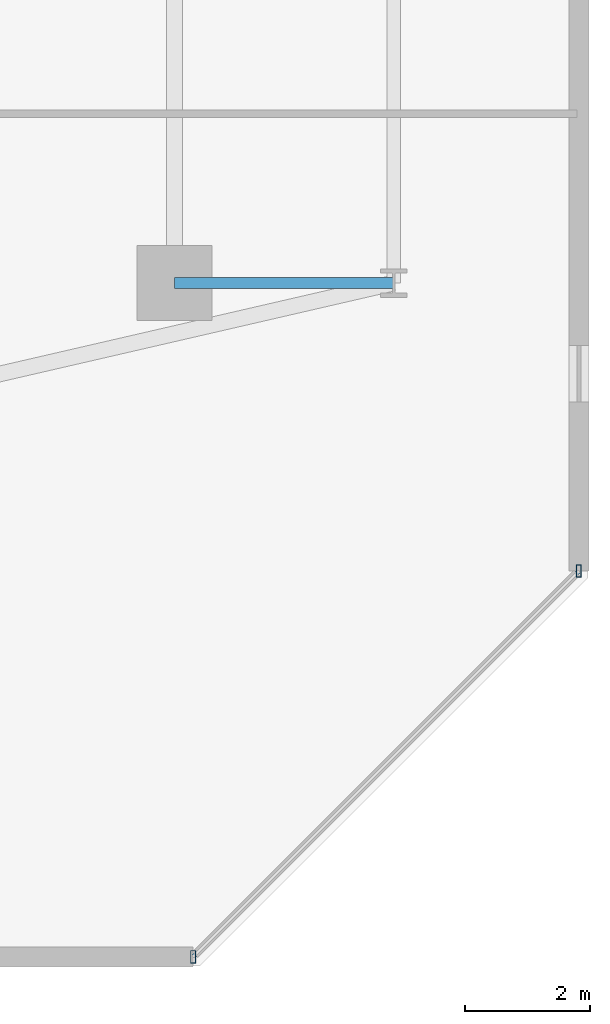
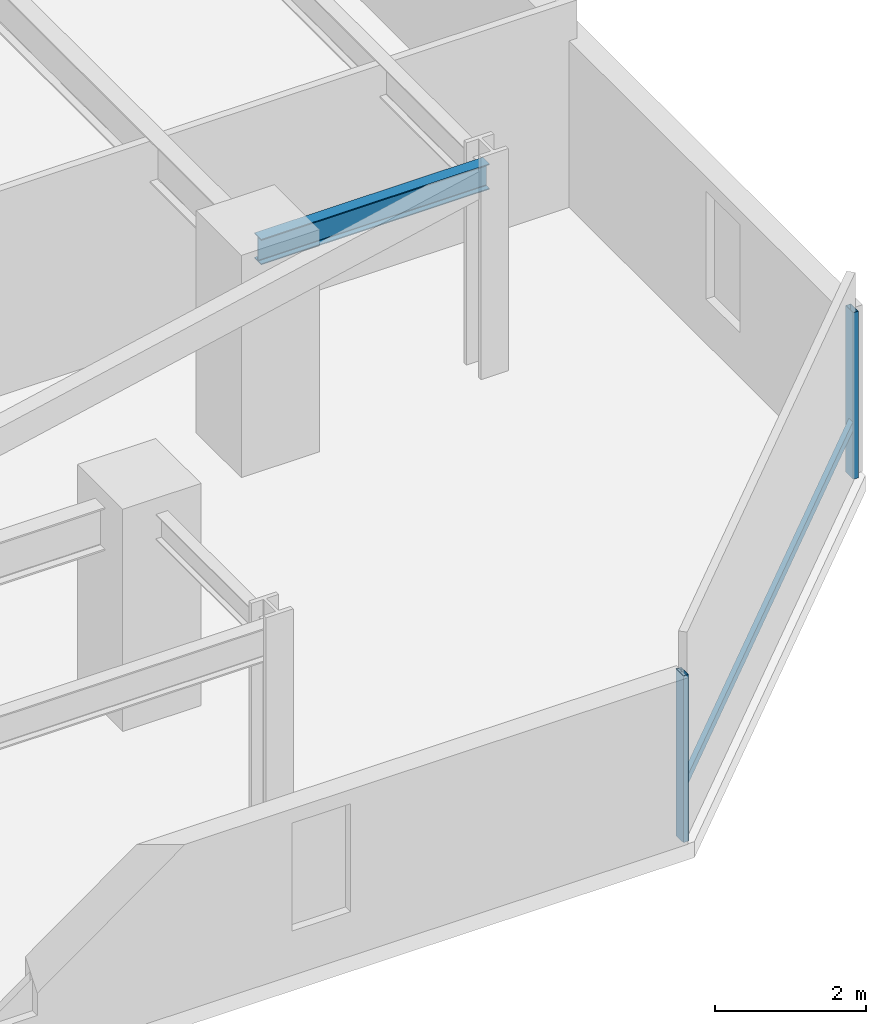
# One storey, part 12 of 31: 3 members, 1 beam, 1 element without a shape of its own.
"""IFC4 building model written with IfcOpenShell, lengths in metres."""

import ifcopenshell
import ifcopenshell.guid

model = None  # the IFC model being written
_history = None  # IfcOwnerHistory: only IFC2X3 demands one
_inside = {}  # id of a spatial element -> (the spatial element, [elements in it])
_under = {}  # id of a project, library or spatial element -> (it, [spatial elements below it])
_declared = {}  # id of a project -> (the project, [libraries it declares])
_typed = {}  # id of a type object -> (the type object, [elements of that type])
_made_of = {}  # id of a material, layer set ... -> (it, [elements and type objects made of it])


def new_model(schema):
    """Start an empty IFC model of exactly this schema.

    Asked for "IFC4X3", IfcOpenShell would pick the latest addendum, in which some entities
    have other attributes; the version numbers below select the first issue.
    IFC2X3 requires an IfcOwnerHistory on every rooted entity: one is made here for all.
    """
    global model, _history
    if schema == "IFC4X3":
        model = ifcopenshell.file(schema_version=(4, 3, 0, 0))
    else:
        model = ifcopenshell.file(schema=schema)
    _inside.clear()
    _under.clear()
    _declared.clear()
    _typed.clear()
    _made_of.clear()
    _history = None
    if model.schema == "IFC2X3":
        org = make("IfcOrganization", Name="unknown")
        user = make(
            "IfcPersonAndOrganization",
            ThePerson=make("IfcPerson", FamilyName="unknown"),
            TheOrganization=org,
        )
        app = make(
            "IfcApplication",
            ApplicationDeveloper=org,
            Version="unknown",
            ApplicationFullName="unknown",
            ApplicationIdentifier="unknown",
        )
        _history = make(
            "IfcOwnerHistory",
            OwningUser=user,
            OwningApplication=app,
            ChangeAction="ADDED",
            CreationDate=0,
        )
    return model


def make(cls, **values):
    """One entity of the class cls with the attributes given. An attribute that is None is left unset."""
    return model.create_entity(
        cls, **{name: value for name, value in values.items() if value is not None}
    )


def rooted(cls, **values):
    """An entity with a GlobalId (a new one), such as an element, a storey or a relation."""
    return make(cls, GlobalId=ifcopenshell.guid.new(), OwnerHistory=_history, **values)


def si_unit(unit_type, name, prefix=None):
    """IfcSIUnit, for example si_unit("LENGTHUNIT", "METRE", prefix="MILLI")."""
    return make("IfcSIUnit", UnitType=unit_type, Prefix=prefix, Name=name)


def assignment(units):
    """IfcUnitAssignment: the units of a project."""
    return None if units is None else make("IfcUnitAssignment", Units=units)


def point(xyz):
    """IfcCartesianPoint."""
    return None if xyz is None else make("IfcCartesianPoint", Coordinates=xyz)


def direction(xyz):
    """IfcDirection."""
    return None if xyz is None else make("IfcDirection", DirectionRatios=xyz)


def frame(location, z_axis=None, x_axis=None):
    """IfcAxis2Placement3D, a coordinate frame: its origin and axes. An axis left out is left unset."""
    return make(
        "IfcAxis2Placement3D",
        Location=point(location),
        Axis=direction(z_axis),
        RefDirection=direction(x_axis),
    )


def frame_2d(location, x_axis=None):
    """IfcAxis2Placement2D, a coordinate frame in the plane: its origin and x axis."""
    return make(
        "IfcAxis2Placement2D", Location=point(location), RefDirection=direction(x_axis)
    )


def origin():
    """The frame at (0, 0, 0) with its axes left unset."""
    return frame((0.0, 0.0, 0.0))


def origin_2d():
    """The frame at (0, 0) in the plane with its x axis left unset."""
    return frame_2d((0.0, 0.0))


def place(relative_to, where):
    """IfcLocalPlacement: puts the frame where relative to a parent placement (None: the world)."""
    return make(
        "IfcLocalPlacement", PlacementRelTo=relative_to, RelativePlacement=where
    )


def context(
    kind, dimensions, precision=None, world=None, true_north=None, identifier=None
):
    """IfcGeometricRepresentationContext, for example the 3D "Model" context."""
    return make(
        "IfcGeometricRepresentationContext",
        ContextIdentifier=identifier,
        ContextType=kind,
        CoordinateSpaceDimension=dimensions,
        Precision=precision,
        WorldCoordinateSystem=world,
        TrueNorth=true_north,
    )


def subcontext(parent, identifier, kind, view, scale=None):
    """IfcGeometricRepresentationSubContext, for example "Body" below "Model"."""
    return make(
        "IfcGeometricRepresentationSubContext",
        ContextIdentifier=identifier,
        ContextType=kind,
        ParentContext=parent,
        TargetScale=scale,
        TargetView=view,
    )


def project(units=None, contexts=None):
    """IfcProject with its units and contexts."""
    return rooted(
        "IfcProject",
        Name="project",
        RepresentationContexts=contexts,
        UnitsInContext=assignment(units),
    )


def spatial(cls, under=None, at=None, **own):
    """A site, building, storey or space (cls), placed at a placement, below another one or the project."""
    s = rooted(cls, ObjectPlacement=at, **own)
    if under is not None:
        _under.setdefault(under.id(), (under, []))[1].append(s)
    return s


def profile(cls, at=None, kind="AREA", **sizes):
    """A parametric profile (cls). Its sizes go by their IFC names, for example OverallWidth=200.0."""
    return make(cls, ProfileType=kind, Position=at, **sizes)


def hollow_rectangle(**sizes):
    """IfcRectangleHollowProfileDef."""
    return profile("IfcRectangleHollowProfileDef", **sizes)


def i_section(**sizes):
    """IfcIShapeProfileDef."""
    return profile("IfcIShapeProfileDef", **sizes)


def extrude(swept, where, along, depth):
    """IfcExtrudedAreaSolid: the profile swept, set in the frame where, extruded along a direction by depth."""
    return make(
        "IfcExtrudedAreaSolid",
        SweptArea=swept,
        Position=where,
        ExtrudedDirection=direction(along),
        Depth=depth,
    )


def shape(context_of_items, identifier, shape_type, items):
    """IfcShapeRepresentation: the items that make up one representation, for example the "Body"."""
    return make(
        "IfcShapeRepresentation",
        ContextOfItems=context_of_items,
        RepresentationIdentifier=identifier,
        RepresentationType=shape_type,
        Items=items,
    )


def material(Name=None, Category=None):
    """IfcMaterial."""
    return make("IfcMaterial", Name=Name, Category=Category)


def material_profile(
    of_material, cross_section, Name=None, Category=None, Priority=None
):
    """IfcMaterialProfile: a cross section and its material."""
    return make(
        "IfcMaterialProfile",
        Name=Name,
        Material=of_material,
        Profile=cross_section,
        Priority=Priority,
        Category=Category,
    )


def profile_set(profiles, Name=None, composite=None):
    """IfcMaterialProfileSet."""
    return make(
        "IfcMaterialProfileSet",
        Name=Name,
        MaterialProfiles=profiles,
        CompositeProfile=composite,
    )


def made_of(thing, what):
    """Note that an element or type object is made of a material, layer set ...; save() writes the relation."""
    if what is not None:
        _made_of.setdefault(what.id(), (what, []))[1].append(thing)
    return thing


def type_object(cls, material=None, **own):
    """A type object (cls), such as IfcWallType, which elements share."""
    return made_of(rooted(cls, **own), material)


def element(
    cls,
    number,
    at=None,
    inside=None,
    cuts=None,
    type_object=None,
    material=None,
    context=None,
    identifier="Body",
    shape_type=None,
    held_by="IfcProductDefinitionShape",
    body=None,
    shapes=None,
    **own,
):
    """One element of the class cls, such as IfcWall. Its Tag is "e" and its number.

    at: its placement. inside: the storey or other place that contains it. cuts: it is an
    opening in that element (IfcRelVoidsElement). A single representation is given by context,
    identifier, shape_type and body (its items); several are given by shapes. held_by: the class
    of the entity that holds the representations. save() writes the other relations.
    """
    e = rooted(cls, Tag="e%d" % number, ObjectPlacement=at, **own)
    if body is not None:
        shapes = [shape(context, identifier, shape_type, body)]
    if shapes is not None:
        e.Representation = make(held_by, Representations=shapes)
    if inside is not None:
        _inside.setdefault(inside.id(), (inside, []))[1].append(e)
    if cuts is not None:
        rooted(
            "IfcRelVoidsElement", RelatingBuildingElement=cuts, RelatedOpeningElement=e
        )
    if type_object is not None:
        _typed.setdefault(type_object.id(), (type_object, []))[1].append(e)
    return made_of(e, material)


def aggregate(whole, parts):
    """IfcRelAggregates: a whole, such as a stair, and the parts it consists of."""
    return rooted("IfcRelAggregates", RelatingObject=whole, RelatedObjects=parts)


def save(model, path):
    """Write the relations noted so far, then the file.

    IfcRelAggregates (storeys below a building ...), IfcRelContainedInSpatialStructure (elements
    in a storey), IfcRelDefinesByType, IfcRelAssociatesMaterial and IfcRelDeclares: one each for
    every whole, place, type object, material and project.
    """
    for whole, parts in _under.values():
        aggregate(whole, parts)
    for where, things in _inside.values():
        rooted(
            "IfcRelContainedInSpatialStructure",
            RelatedElements=things,
            RelatingStructure=where,
        )
    for kind, things in _typed.values():
        rooted("IfcRelDefinesByType", RelatedObjects=things, RelatingType=kind)
    for what, things in _made_of.values():
        rooted("IfcRelAssociatesMaterial", RelatedObjects=things, RelatingMaterial=what)
    for by, libraries in _declared.values():
        rooted("IfcRelDeclares", RelatingContext=by, RelatedDefinitions=libraries)
    model.write(path)


model = new_model("IFC4")

# Units and contexts
model_context = context("Model", 3, precision=1e-05, world=origin(), true_north=direction((0.0, 1.0)))
body_context = subcontext(model_context, "Body", "Model", "MODEL_VIEW")
ifc_project = project(units=[si_unit("LENGTHUNIT", "METRE"), si_unit("AREAUNIT", "SQUARE_METRE"), si_unit("VOLUMEUNIT", "CUBIC_METRE"), si_unit("PLANEANGLEUNIT", "RADIAN"), si_unit("MASSUNIT", "GRAM", prefix="KILO")], contexts=[model_context])

# Site, building, storey
site_placement = place(None, origin())
site = spatial("IfcSite", under=ifc_project, at=site_placement, CompositionType="ELEMENT")
building_placement = place(site_placement, origin())
building = spatial("IfcBuilding", under=site, at=building_placement, Name="Thornwick Lancets Civic Towers", CompositionType="ELEMENT")
storey_placement = place(building_placement, frame((0.0, 0.0, 119.699951171875)))
storey = spatial("IfcBuildingStorey", under=building, at=storey_placement, Name="L31", CompositionType="ELEMENT", Elevation=119.699951171875)

# Beam
ifc_material_1 = material(Name="Steel S355JR", Category="steel")
ifc_material_profile_1 = material_profile(ifc_material_1, i_section(OverallWidth=0.179443359375, OverallDepth=0.412841796875, WebThickness=0.009521484375, FlangeThickness=0.01611328125, FilletRadius=0.01025390625, at=origin_2d()), Name="UKB 406x178x74")
ifc_profile_set_1 = profile_set([ifc_material_profile_1], Name="Steel S355JR")
beam_type = type_object("IfcBeamType", Name="BM_JOIST_406_74", PredefinedType="JOIST", material=ifc_profile_set_1)
beam_placement = place(storey_placement, frame((105.800048828125, 14.0, 3.133544921875), z_axis=(1.0, 0.0, 0.0), x_axis=(0.0, 1.0, 0.0)))
element("IfcBeam", 1, at=beam_placement, inside=storey, type_object=beam_type, Name="BM-RAD-L31-B01", PredefinedType="JOIST", context=body_context, shape_type="SweptSolid", body=[
    extrude(i_section(OverallWidth=0.179443359375, OverallDepth=0.412841796875, WebThickness=0.009521484375, FlangeThickness=0.01611328125, FilletRadius=0.01025390625, at=origin_2d()), origin(), (0.0, 0.0, 1.0), 3.5),
])

# Curtain wall, members
ifc_material_2 = material(Name="Mid-zone chamfered-corner unitised glass curtain wall", Category="glass")
curtain_wall_type = type_object("IfcCurtainWallType", Name="CW_SYS_04", PredefinedType="NOTDEFINED", material=ifc_material_2)
curtain_wall_placement = place(storey_placement, origin())
curtain_wall = element("IfcCurtainWall", 2, at=curtain_wall_placement, inside=storey, type_object=curtain_wall_type, Name="L31 Curtain Wall CW-L31-B-E1", PredefinedType="NOTDEFINED")
ifc_material_3 = material(Name="Thermally broken bronze aluminium S355", Category="steel")
ifc_material_profile_2 = material_profile(ifc_material_3, hollow_rectangle(XDim=0.080078125, YDim=0.199951171875, WallThickness=0.006103515625, at=origin_2d()), Name="RHS 200x80x6")
ifc_profile_set_2 = profile_set([ifc_material_profile_2], Name="Thermally broken bronze aluminium S355")
member_type_1 = type_object("IfcMemberType", Name="CW_MUL_200", PredefinedType="MULLION", material=ifc_profile_set_2)
member_1_placement = place(storey_placement, frame((106.096435546875, 3.247314453125, 0.0), z_axis=(0.0, 0.0, 1.0), x_axis=(1.0, 0.0, 0.0)))
member_1 = element("IfcMember", 3, at=member_1_placement, type_object=member_type_1, Name="CW-L31-B-E1 Mullion 0", PredefinedType="MULLION", context=body_context, shape_type="SweptSolid", body=[
    extrude(hollow_rectangle(XDim=0.080078125, YDim=0.199951171875, WallThickness=0.006103515625, at=origin_2d()), origin(), (0.0, 0.0, 1.0), 2.699951171875),
])
member_2_placement = place(storey_placement, frame((112.252685546875, 9.403564453125, 0.0), z_axis=(0.0, 0.0, 1.0), x_axis=(1.0, 0.0, 0.0)))
member_2 = element("IfcMember", 4, at=member_2_placement, type_object=member_type_1, Name="CW-L31-B-E1 Mullion 1", PredefinedType="MULLION", context=body_context, shape_type="SweptSolid", body=[
    extrude(hollow_rectangle(XDim=0.080078125, YDim=0.199951171875, WallThickness=0.006103515625, at=origin_2d()), origin(), (0.0, 0.0, 1.0), 2.699951171875),
])
ifc_material_profile_3 = material_profile(ifc_material_3, hollow_rectangle(XDim=0.074951171875, YDim=0.14990234375, WallThickness=0.0048828125, at=origin_2d()), Name="RHS 150x75x5")
ifc_profile_set_3 = profile_set([ifc_material_profile_3], Name="Thermally broken bronze aluminium S355")
member_type_2 = type_object("IfcMemberType", Name="CW_TRN_150", PredefinedType="USERDEFINED", material=ifc_profile_set_3)
member_3_placement = place(storey_placement, frame((106.110595703125, 3.26123046875, 0.85009765625), z_axis=(0.707106781187, 0.707106781187, 0.0), x_axis=(-0.707106781187, 0.707106781187, 0.0)))
member_3 = element("IfcMember", 5, at=member_3_placement, type_object=member_type_2, Name="CW-L31-B-E1 Transom 0", ObjectType="TRANSOM", PredefinedType="USERDEFINED", context=body_context, shape_type="SweptSolid", body=[
    extrude(hollow_rectangle(XDim=0.074951171875, YDim=0.14990234375, WallThickness=0.0048828125, at=origin_2d()), origin(), (0.0, 0.0, 1.0), 8.66650390625),
])
aggregate(curtain_wall, [member_1, member_2, member_3])

save(model, "model.ifc")
